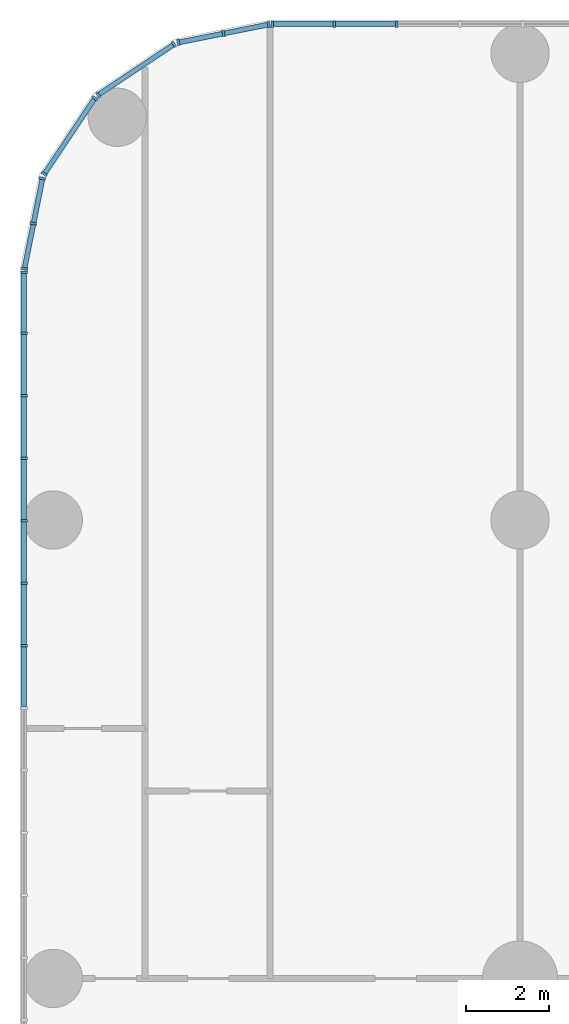
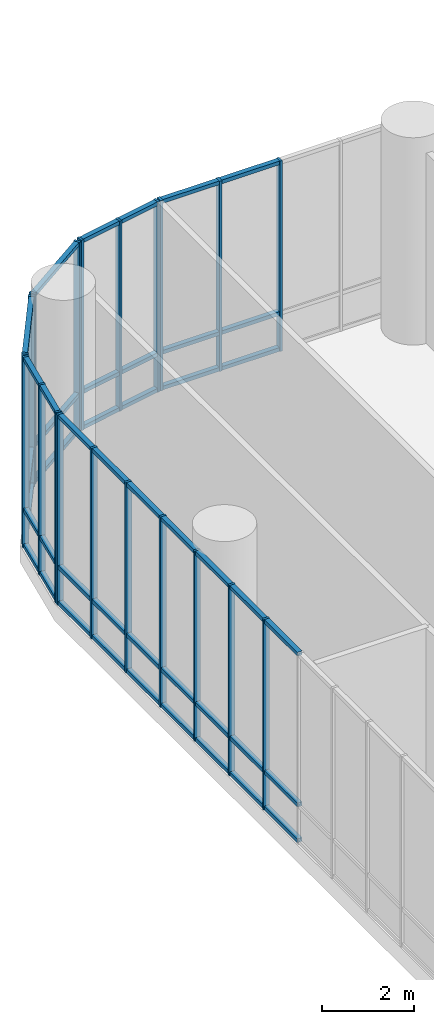
# One storey, part 7 of 28: 65 members, 6 elements without a shape of their own.
"""IFC4 building model written with IfcOpenShell, lengths in metres."""

from ifc_helpers import new_model, si_unit, direction, frame, origin, origin_2d, place, context, subcontext, project, spatial, rectangle, extrude, material, layer, layer_set, material_profile, profile_set, type_object, element, aggregate, save


model = new_model("IFC4")

# Units and contexts
model_context = context("Model", 3, precision=1e-05, world=origin(), true_north=direction((0.0, 1.0)))
body_context = subcontext(model_context, "Body", "Model", "MODEL_VIEW")
ifc_project = project(units=[si_unit("LENGTHUNIT", "METRE"), si_unit("AREAUNIT", "SQUARE_METRE"), si_unit("VOLUMEUNIT", "CUBIC_METRE"), si_unit("PLANEANGLEUNIT", "RADIAN"), si_unit("MASSUNIT", "GRAM", prefix="KILO")], contexts=[model_context])

# Site, building, storey
site_placement = place(None, origin())
site = spatial("IfcSite", under=ifc_project, at=site_placement, CompositionType="ELEMENT")
building_placement = place(site_placement, origin())
building = spatial("IfcBuilding", under=site, at=building_placement, Name="Torana Hotel and Residences", CompositionType="ELEMENT")
storey_placement = place(building_placement, frame((0.0, 0.0, 7.0)))
storey = spatial("IfcBuildingStorey", under=building, at=storey_placement, Name="L01", CompositionType="ELEMENT", Elevation=7.0)

# Curtain wall, members
ifc_material_1 = material(Name="Dark anodised aluminium", Category="aluminium")
ifc_layer = layer(ifc_material_1, 0.14990234375)
ifc_layer_set = layer_set([ifc_layer], Name="CW5 PODIUM UPPER UNITISED CURTAIN WALL")
curtain_wall_type = type_object("IfcCurtainWallType", Name="CW5 PODIUM UPPER UNITISED CURTAIN WALL", PredefinedType="NOTDEFINED", material=ifc_layer_set)
curtain_wall_1_placement = place(storey_placement, origin())
curtain_wall_1 = element("IfcCurtainWall", 1, at=curtain_wall_1_placement, inside=storey, type_object=curtain_wall_type, Name="Curtain wall CW5 L01 e0.2", PredefinedType="NOTDEFINED")
ifc_material_2 = material(Name="Dark anodised aluminium", Category="aluminium")
ifc_material_profile_1 = material_profile(ifc_material_2, rectangle(XDim=0.14990234375, YDim=0.06005859375, at=origin_2d()), Name="CW5 MULLION 60x150")
ifc_profile_set_1 = profile_set([ifc_material_profile_1], Name="Dark anodised aluminium")
member_type_1 = type_object("IfcMemberType", Name="CW5 MULLION 60x150", PredefinedType="MULLION", material=ifc_profile_set_1)
member_1_placement = place(storey_placement, frame((-38.953857421875, 7.89990234375, 0.0), z_axis=(0.0, 0.0, 1.0), x_axis=(0.0, -1.0, 0.0)))
member_1 = element("IfcMember", 2, at=member_1_placement, type_object=member_type_1, Name="CW5 mullion 20", PredefinedType="MULLION", context=body_context, shape_type="SweptSolid", body=[
    extrude(rectangle(XDim=0.14990234375, YDim=0.06005859375, at=origin_2d()), origin(), (0.0, 0.0, 1.0), 5.050048828125),
])
member_2_placement = place(storey_placement, frame((-40.464599609375, 7.89990234375, 0.0), z_axis=(0.0, 0.0, 1.0), x_axis=(0.0, -1.0, 0.0)))
member_2 = element("IfcMember", 3, at=member_2_placement, type_object=member_type_1, Name="CW5 mullion 21", PredefinedType="MULLION", context=body_context, shape_type="SweptSolid", body=[
    extrude(rectangle(XDim=0.14990234375, YDim=0.06005859375, at=origin_2d()), origin(), (0.0, 0.0, 1.0), 5.050048828125),
])
member_3_placement = place(storey_placement, frame((-41.9453125, 7.89990234375, 0.0), z_axis=(0.0, 0.0, 1.0), x_axis=(0.0, -1.0, 0.0)))
member_3 = element("IfcMember", 4, at=member_3_placement, type_object=member_type_1, Name="CW5 mullion 22", PredefinedType="MULLION", context=body_context, shape_type="SweptSolid", body=[
    extrude(rectangle(XDim=0.14990234375, YDim=0.06005859375, at=origin_2d()), origin(), (0.0, 0.0, 1.0), 5.050048828125),
])

curtain_wall_2_placement = place(storey_placement, origin())
curtain_wall_2 = element("IfcCurtainWall", 5, at=curtain_wall_2_placement, inside=storey, type_object=curtain_wall_type, Name="Curtain wall CW5 L01 e0.3", PredefinedType="NOTDEFINED")
member_4_placement = place(storey_placement, frame((-42.033935546875, 7.891357421875, 0.0), z_axis=(0.0, 0.0, 1.0), x_axis=(0.195080996415, -0.980787135335, 0.0)))
member_4 = element("IfcMember", 6, at=member_4_placement, type_object=member_type_1, Name="CW5 mullion 1", PredefinedType="MULLION", context=body_context, shape_type="SweptSolid", body=[
    extrude(rectangle(XDim=0.14990234375, YDim=0.06005859375, at=origin_2d()), origin(), (0.0, 0.0, 1.0), 5.050048828125),
])
member_5_placement = place(storey_placement, frame((-43.1162109375, 7.676025390625, 0.0), z_axis=(0.0, 0.0, 1.0), x_axis=(0.195080996415, -0.980787135335, 0.0)))
member_5 = element("IfcMember", 7, at=member_5_placement, type_object=member_type_1, Name="CW5 mullion 2", PredefinedType="MULLION", context=body_context, shape_type="SweptSolid", body=[
    extrude(rectangle(XDim=0.14990234375, YDim=0.06005859375, at=origin_2d()), origin(), (0.0, 0.0, 1.0), 5.050048828125),
])
member_6_placement = place(storey_placement, frame((-44.198486328125, 7.460693359375, 0.0), z_axis=(0.0, 0.0, 1.0), x_axis=(0.195080996415, -0.980787135335, 0.0)))
member_6 = element("IfcMember", 8, at=member_6_placement, type_object=member_type_1, Name="CW5 mullion 3", PredefinedType="MULLION", context=body_context, shape_type="SweptSolid", body=[
    extrude(rectangle(XDim=0.14990234375, YDim=0.06005859375, at=origin_2d()), origin(), (0.0, 0.0, 1.0), 5.050048828125),
])

curtain_wall_3_placement = place(storey_placement, origin())
curtain_wall_3 = element("IfcCurtainWall", 9, at=curtain_wall_3_placement, inside=storey, type_object=curtain_wall_type, Name="Curtain wall CW5 L01 e0.4", PredefinedType="NOTDEFINED")
member_7_placement = place(storey_placement, frame((-44.306884765625, 7.415771484375, 0.0), z_axis=(0.0, 0.0, 1.0), x_axis=(0.555585238723, -0.831459585616, 0.0)))
member_7 = element("IfcMember", 10, at=member_7_placement, type_object=member_type_1, Name="CW5 mullion 1", PredefinedType="MULLION", context=body_context, shape_type="SweptSolid", body=[
    extrude(rectangle(XDim=0.14990234375, YDim=0.06005859375, at=origin_2d()), origin(), (0.0, 0.0, 1.0), 5.050048828125),
])
member_8_placement = place(storey_placement, frame((-46.120849609375, 6.203857421875, 0.0), z_axis=(0.0, 0.0, 1.0), x_axis=(0.555585238723, -0.831459585616, 0.0)))
member_8 = element("IfcMember", 11, at=member_8_placement, type_object=member_type_1, Name="CW5 mullion 2", PredefinedType="MULLION", context=body_context, shape_type="SweptSolid", body=[
    extrude(rectangle(XDim=0.14990234375, YDim=0.06005859375, at=origin_2d()), origin(), (0.0, 0.0, 1.0), 5.050048828125),
])

curtain_wall_4_placement = place(storey_placement, origin())
curtain_wall_4 = element("IfcCurtainWall", 12, at=curtain_wall_4_placement, inside=storey, type_object=curtain_wall_type, Name="Curtain wall CW5 L01 e0.5", PredefinedType="NOTDEFINED")
member_9_placement = place(storey_placement, frame((-46.203857421875, 6.120849609375, 0.0), z_axis=(0.0, 0.0, 1.0), x_axis=(0.831459585616, -0.555585238723, 0.0)))
member_9 = element("IfcMember", 13, at=member_9_placement, type_object=member_type_1, Name="CW5 mullion 1", PredefinedType="MULLION", context=body_context, shape_type="SweptSolid", body=[
    extrude(rectangle(XDim=0.14990234375, YDim=0.06005859375, at=origin_2d()), origin(), (0.0, 0.0, 1.0), 5.050048828125),
])
member_10_placement = place(storey_placement, frame((-47.415771484375, 4.306884765625, 0.0), z_axis=(0.0, 0.0, 1.0), x_axis=(0.831459585616, -0.555585238723, 0.0)))
member_10 = element("IfcMember", 14, at=member_10_placement, type_object=member_type_1, Name="CW5 mullion 2", PredefinedType="MULLION", context=body_context, shape_type="SweptSolid", body=[
    extrude(rectangle(XDim=0.14990234375, YDim=0.06005859375, at=origin_2d()), origin(), (0.0, 0.0, 1.0), 5.050048828125),
])

curtain_wall_5_placement = place(storey_placement, origin())
curtain_wall_5 = element("IfcCurtainWall", 15, at=curtain_wall_5_placement, inside=storey, type_object=curtain_wall_type, Name="Curtain wall CW5 L01 e0.6", PredefinedType="NOTDEFINED")
member_11_placement = place(storey_placement, frame((-47.460693359375, 4.198486328125, 0.0), z_axis=(0.0, 0.0, 1.0), x_axis=(0.980787135335, -0.195080996415, 0.0)))
member_11 = element("IfcMember", 16, at=member_11_placement, type_object=member_type_1, Name="CW5 mullion 1", PredefinedType="MULLION", context=body_context, shape_type="SweptSolid", body=[
    extrude(rectangle(XDim=0.14990234375, YDim=0.06005859375, at=origin_2d()), origin(), (0.0, 0.0, 1.0), 5.050048828125),
])
member_12_placement = place(storey_placement, frame((-47.676025390625, 3.1162109375, 0.0), z_axis=(0.0, 0.0, 1.0), x_axis=(0.980787135335, -0.195080996415, 0.0)))
member_12 = element("IfcMember", 17, at=member_12_placement, type_object=member_type_1, Name="CW5 mullion 2", PredefinedType="MULLION", context=body_context, shape_type="SweptSolid", body=[
    extrude(rectangle(XDim=0.14990234375, YDim=0.06005859375, at=origin_2d()), origin(), (0.0, 0.0, 1.0), 5.050048828125),
])
member_13_placement = place(storey_placement, frame((-47.891357421875, 2.033935546875, 0.0), z_axis=(0.0, 0.0, 1.0), x_axis=(0.980787135335, -0.195080996415, 0.0)))
member_13 = element("IfcMember", 18, at=member_13_placement, type_object=member_type_1, Name="CW5 mullion 3", PredefinedType="MULLION", context=body_context, shape_type="SweptSolid", body=[
    extrude(rectangle(XDim=0.14990234375, YDim=0.06005859375, at=origin_2d()), origin(), (0.0, 0.0, 1.0), 5.050048828125),
])

curtain_wall_6_placement = place(storey_placement, origin())
curtain_wall_6 = element("IfcCurtainWall", 19, at=curtain_wall_6_placement, inside=storey, type_object=curtain_wall_type, Name="Curtain wall CW5 L01 e0.7", PredefinedType="NOTDEFINED")
member_14_placement = place(storey_placement, frame((-47.89990234375, 1.9453125, 0.0), z_axis=(0.0, 0.0, 1.0), x_axis=(1.0, 0.0, 0.0)))
member_14 = element("IfcMember", 20, at=member_14_placement, type_object=member_type_1, Name="CW5 mullion 1", PredefinedType="MULLION", context=body_context, shape_type="SweptSolid", body=[
    extrude(rectangle(XDim=0.14990234375, YDim=0.06005859375, at=origin_2d()), origin(), (0.0, 0.0, 1.0), 5.050048828125),
])
member_15_placement = place(storey_placement, frame((-47.89990234375, 0.4775390625, 0.0), z_axis=(0.0, 0.0, 1.0), x_axis=(1.0, 0.0, 0.0)))
member_15 = element("IfcMember", 21, at=member_15_placement, type_object=member_type_1, Name="CW5 mullion 2", PredefinedType="MULLION", context=body_context, shape_type="SweptSolid", body=[
    extrude(rectangle(XDim=0.14990234375, YDim=0.06005859375, at=origin_2d()), origin(), (0.0, 0.0, 1.0), 5.050048828125),
])
member_16_placement = place(storey_placement, frame((-47.89990234375, -1.0205078125, 0.0), z_axis=(0.0, 0.0, 1.0), x_axis=(1.0, 0.0, 0.0)))
member_16 = element("IfcMember", 22, at=member_16_placement, type_object=member_type_1, Name="CW5 mullion 3", PredefinedType="MULLION", context=body_context, shape_type="SweptSolid", body=[
    extrude(rectangle(XDim=0.14990234375, YDim=0.06005859375, at=origin_2d()), origin(), (0.0, 0.0, 1.0), 5.050048828125),
])
member_17_placement = place(storey_placement, frame((-47.89990234375, -2.5185546875, 0.0), z_axis=(0.0, 0.0, 1.0), x_axis=(1.0, 0.0, 0.0)))
member_17 = element("IfcMember", 23, at=member_17_placement, type_object=member_type_1, Name="CW5 mullion 4", PredefinedType="MULLION", context=body_context, shape_type="SweptSolid", body=[
    extrude(rectangle(XDim=0.14990234375, YDim=0.06005859375, at=origin_2d()), origin(), (0.0, 0.0, 1.0), 5.050048828125),
])
member_18_placement = place(storey_placement, frame((-47.89990234375, -4.016357421875, 0.0), z_axis=(0.0, 0.0, 1.0), x_axis=(1.0, 0.0, 0.0)))
member_18 = element("IfcMember", 24, at=member_18_placement, type_object=member_type_1, Name="CW5 mullion 5", PredefinedType="MULLION", context=body_context, shape_type="SweptSolid", body=[
    extrude(rectangle(XDim=0.14990234375, YDim=0.06005859375, at=origin_2d()), origin(), (0.0, 0.0, 1.0), 5.050048828125),
])
member_19_placement = place(storey_placement, frame((-47.89990234375, -5.514404296875, 0.0), z_axis=(0.0, 0.0, 1.0), x_axis=(1.0, 0.0, 0.0)))
member_19 = element("IfcMember", 25, at=member_19_placement, type_object=member_type_1, Name="CW5 mullion 6", PredefinedType="MULLION", context=body_context, shape_type="SweptSolid", body=[
    extrude(rectangle(XDim=0.14990234375, YDim=0.06005859375, at=origin_2d()), origin(), (0.0, 0.0, 1.0), 5.050048828125),
])
member_20_placement = place(storey_placement, frame((-47.89990234375, -7.01220703125, 0.0), z_axis=(0.0, 0.0, 1.0), x_axis=(1.0, 0.0, 0.0)))
member_20 = element("IfcMember", 26, at=member_20_placement, type_object=member_type_1, Name="CW5 mullion 7", PredefinedType="MULLION", context=body_context, shape_type="SweptSolid", body=[
    extrude(rectangle(XDim=0.14990234375, YDim=0.06005859375, at=origin_2d()), origin(), (0.0, 0.0, 1.0), 5.050048828125),
])

# Member
ifc_material_3 = material(Name="Dark anodised aluminium", Category="aluminium")
ifc_material_profile_2 = material_profile(ifc_material_3, rectangle(XDim=0.1201171875, YDim=0.10009765625, at=origin_2d()), Name="CW5 TRANSOM 120x100")
ifc_profile_set_2 = profile_set([ifc_material_profile_2], Name="Dark anodised aluminium")
member_type_2 = type_object("IfcMemberType", Name="CW5 TRANSOM 120x100", PredefinedType="USERDEFINED", material=ifc_profile_set_2)
member_21_placement = place(storey_placement, frame((-38.98388671875, 7.89990234375, 0.050048828125), z_axis=(-1.0, 0.0, 0.0), x_axis=(0.0, -1.0, 0.0)))
member_21 = element("IfcMember", 27, at=member_21_placement, type_object=member_type_2, Name="CW5 transom 20.1", ObjectType="TRANSOM", PredefinedType="USERDEFINED", context=body_context, shape_type="SweptSolid", body=[
    extrude(rectangle(XDim=0.1201171875, YDim=0.10009765625, at=origin_2d()), origin(), (0.0, 0.0, 1.0), 1.45068359375),
])

member_22_placement = place(storey_placement, frame((-38.98388671875, 7.89990234375, 1.0), z_axis=(-1.0, 0.0, 0.0), x_axis=(0.0, -1.0, 0.0)))
member_22 = element("IfcMember", 28, at=member_22_placement, type_object=member_type_2, Name="CW5 transom 20.2", ObjectType="TRANSOM", PredefinedType="USERDEFINED", context=body_context, shape_type="SweptSolid", body=[
    extrude(rectangle(XDim=0.1201171875, YDim=0.10009765625, at=origin_2d()), origin(), (0.0, 0.0, 1.0), 1.45068359375),
])

member_23_placement = place(storey_placement, frame((-38.98388671875, 7.89990234375, 5.0), z_axis=(-1.0, 0.0, 0.0), x_axis=(0.0, -1.0, 0.0)))
member_23 = element("IfcMember", 29, at=member_23_placement, type_object=member_type_2, Name="CW5 transom 20.3", ObjectType="TRANSOM", PredefinedType="USERDEFINED", context=body_context, shape_type="SweptSolid", body=[
    extrude(rectangle(XDim=0.1201171875, YDim=0.10009765625, at=origin_2d()), origin(), (0.0, 0.0, 1.0), 1.45068359375),
])

member_24_placement = place(storey_placement, frame((-40.49462890625, 7.89990234375, 0.050048828125), z_axis=(-1.0, 0.0, 0.0), x_axis=(0.0, -1.0, 0.0)))
member_24 = element("IfcMember", 30, at=member_24_placement, type_object=member_type_2, Name="CW5 transom 21.1", ObjectType="TRANSOM", PredefinedType="USERDEFINED", context=body_context, shape_type="SweptSolid", body=[
    extrude(rectangle(XDim=0.1201171875, YDim=0.10009765625, at=origin_2d()), origin(), (0.0, 0.0, 1.0), 1.420654296875),
])

member_25_placement = place(storey_placement, frame((-40.49462890625, 7.89990234375, 1.0), z_axis=(-1.0, 0.0, 0.0), x_axis=(0.0, -1.0, 0.0)))
member_25 = element("IfcMember", 31, at=member_25_placement, type_object=member_type_2, Name="CW5 transom 21.2", ObjectType="TRANSOM", PredefinedType="USERDEFINED", context=body_context, shape_type="SweptSolid", body=[
    extrude(rectangle(XDim=0.1201171875, YDim=0.10009765625, at=origin_2d()), origin(), (0.0, 0.0, 1.0), 1.420654296875),
])

member_26_placement = place(storey_placement, frame((-40.49462890625, 7.89990234375, 5.0), z_axis=(-1.0, 0.0, 0.0), x_axis=(0.0, -1.0, 0.0)))
member_26 = element("IfcMember", 32, at=member_26_placement, type_object=member_type_2, Name="CW5 transom 21.3", ObjectType="TRANSOM", PredefinedType="USERDEFINED", context=body_context, shape_type="SweptSolid", body=[
    extrude(rectangle(XDim=0.1201171875, YDim=0.10009765625, at=origin_2d()), origin(), (0.0, 0.0, 1.0), 1.420654296875),
])

aggregate(curtain_wall_1, [member_1, member_2, member_3, member_21, member_22, member_23, member_24, member_25, member_26])

member_27_placement = place(storey_placement, frame((-42.0634765625, 7.885498046875, 0.050048828125), z_axis=(-0.980769234765, -0.195170971557, 0.0), x_axis=(0.195170971557, -0.980769234765, 0.0)))
member_27 = element("IfcMember", 33, at=member_27_placement, type_object=member_type_2, Name="CW5 transom 1.1", ObjectType="TRANSOM", PredefinedType="USERDEFINED", context=body_context, shape_type="SweptSolid", body=[
    extrude(rectangle(XDim=0.1201171875, YDim=0.10009765625, at=origin_2d()), origin(), (0.0, 0.0, 1.0), 1.043212890625),
])

member_28_placement = place(storey_placement, frame((-42.0634765625, 7.885498046875, 1.0), z_axis=(-0.980769234765, -0.195170971557, 0.0), x_axis=(0.195170971557, -0.980769234765, 0.0)))
member_28 = element("IfcMember", 34, at=member_28_placement, type_object=member_type_2, Name="CW5 transom 1.2", ObjectType="TRANSOM", PredefinedType="USERDEFINED", context=body_context, shape_type="SweptSolid", body=[
    extrude(rectangle(XDim=0.1201171875, YDim=0.10009765625, at=origin_2d()), origin(), (0.0, 0.0, 1.0), 1.043212890625),
])

member_29_placement = place(storey_placement, frame((-42.0634765625, 7.885498046875, 5.0), z_axis=(-0.980769234765, -0.195170971557, 0.0), x_axis=(0.195170971557, -0.980769234765, 0.0)))
member_29 = element("IfcMember", 35, at=member_29_placement, type_object=member_type_2, Name="CW5 transom 1.3", ObjectType="TRANSOM", PredefinedType="USERDEFINED", context=body_context, shape_type="SweptSolid", body=[
    extrude(rectangle(XDim=0.1201171875, YDim=0.10009765625, at=origin_2d()), origin(), (0.0, 0.0, 1.0), 1.043212890625),
])

member_30_placement = place(storey_placement, frame((-43.1455078125, 7.670166015625, 0.050048828125), z_axis=(-0.980778145841, -0.195126186458, 0.0), x_axis=(0.195126186458, -0.980778145841, 0.0)))
member_30 = element("IfcMember", 36, at=member_30_placement, type_object=member_type_2, Name="CW5 transom 2.1", ObjectType="TRANSOM", PredefinedType="USERDEFINED", context=body_context, shape_type="SweptSolid", body=[
    extrude(rectangle(XDim=0.1201171875, YDim=0.10009765625, at=origin_2d()), origin(), (0.0, 0.0, 1.0), 1.04345703125),
])

member_31_placement = place(storey_placement, frame((-43.1455078125, 7.670166015625, 1.0), z_axis=(-0.980778145841, -0.195126186458, 0.0), x_axis=(0.195126186458, -0.980778145841, 0.0)))
member_31 = element("IfcMember", 37, at=member_31_placement, type_object=member_type_2, Name="CW5 transom 2.2", ObjectType="TRANSOM", PredefinedType="USERDEFINED", context=body_context, shape_type="SweptSolid", body=[
    extrude(rectangle(XDim=0.1201171875, YDim=0.10009765625, at=origin_2d()), origin(), (0.0, 0.0, 1.0), 1.04345703125),
])

member_32_placement = place(storey_placement, frame((-43.1455078125, 7.670166015625, 5.0), z_axis=(-0.980778145841, -0.195126186458, 0.0), x_axis=(0.195126186458, -0.980778145841, 0.0)))
member_32 = element("IfcMember", 38, at=member_32_placement, type_object=member_type_2, Name="CW5 transom 2.3", ObjectType="TRANSOM", PredefinedType="USERDEFINED", context=body_context, shape_type="SweptSolid", body=[
    extrude(rectangle(XDim=0.1201171875, YDim=0.10009765625, at=origin_2d()), origin(), (0.0, 0.0, 1.0), 1.04345703125),
])

aggregate(curtain_wall_2, [member_4, member_5, member_6, member_27, member_28, member_29, member_30, member_31, member_32])

member_33_placement = place(storey_placement, frame((-44.331787109375, 7.399169921875, 0.050048828125), z_axis=(-0.831447851219, -0.555602799403, 0.0), x_axis=(0.555602799403, -0.831447851219, 0.0)))
member_33 = element("IfcMember", 39, at=member_33_placement, type_object=member_type_2, Name="CW5 transom 1.1", ObjectType="TRANSOM", PredefinedType="USERDEFINED", context=body_context, shape_type="SweptSolid", body=[
    extrude(rectangle(XDim=0.1201171875, YDim=0.10009765625, at=origin_2d()), origin(), (0.0, 0.0, 1.0), 2.12158203125),
])

member_34_placement = place(storey_placement, frame((-44.331787109375, 7.399169921875, 1.0), z_axis=(-0.831447851219, -0.555602799403, 0.0), x_axis=(0.555602799403, -0.831447851219, 0.0)))
member_34 = element("IfcMember", 40, at=member_34_placement, type_object=member_type_2, Name="CW5 transom 1.2", ObjectType="TRANSOM", PredefinedType="USERDEFINED", context=body_context, shape_type="SweptSolid", body=[
    extrude(rectangle(XDim=0.1201171875, YDim=0.10009765625, at=origin_2d()), origin(), (0.0, 0.0, 1.0), 2.12158203125),
])

member_35_placement = place(storey_placement, frame((-44.331787109375, 7.399169921875, 5.0), z_axis=(-0.831447851219, -0.555602799403, 0.0), x_axis=(0.555602799403, -0.831447851219, 0.0)))
member_35 = element("IfcMember", 41, at=member_35_placement, type_object=member_type_2, Name="CW5 transom 1.3", ObjectType="TRANSOM", PredefinedType="USERDEFINED", context=body_context, shape_type="SweptSolid", body=[
    extrude(rectangle(XDim=0.1201171875, YDim=0.10009765625, at=origin_2d()), origin(), (0.0, 0.0, 1.0), 2.12158203125),
])

aggregate(curtain_wall_3, [member_7, member_8, member_33, member_34, member_35])

member_36_placement = place(storey_placement, frame((-46.220458984375, 6.095703125, 0.050048828125), z_axis=(-0.555602799403, -0.831447851219, 0.0), x_axis=(0.831447851219, -0.555602799403, 0.0)))
member_36 = element("IfcMember", 42, at=member_36_placement, type_object=member_type_2, Name="CW5 transom 1.1", ObjectType="TRANSOM", PredefinedType="USERDEFINED", context=body_context, shape_type="SweptSolid", body=[
    extrude(rectangle(XDim=0.1201171875, YDim=0.10009765625, at=origin_2d()), origin(), (0.0, 0.0, 1.0), 2.12158203125),
])

member_37_placement = place(storey_placement, frame((-46.220458984375, 6.095703125, 1.0), z_axis=(-0.555602799403, -0.831447851219, 0.0), x_axis=(0.831447851219, -0.555602799403, 0.0)))
member_37 = element("IfcMember", 43, at=member_37_placement, type_object=member_type_2, Name="CW5 transom 1.2", ObjectType="TRANSOM", PredefinedType="USERDEFINED", context=body_context, shape_type="SweptSolid", body=[
    extrude(rectangle(XDim=0.1201171875, YDim=0.10009765625, at=origin_2d()), origin(), (0.0, 0.0, 1.0), 2.12158203125),
])

member_38_placement = place(storey_placement, frame((-46.220458984375, 6.095703125, 5.0), z_axis=(-0.555602799403, -0.831447851219, 0.0), x_axis=(0.831447851219, -0.555602799403, 0.0)))
member_38 = element("IfcMember", 44, at=member_38_placement, type_object=member_type_2, Name="CW5 transom 1.3", ObjectType="TRANSOM", PredefinedType="USERDEFINED", context=body_context, shape_type="SweptSolid", body=[
    extrude(rectangle(XDim=0.1201171875, YDim=0.10009765625, at=origin_2d()), origin(), (0.0, 0.0, 1.0), 2.12158203125),
])

aggregate(curtain_wall_4, [member_9, member_10, member_36, member_37, member_38])

member_39_placement = place(storey_placement, frame((-47.466552734375, 4.1689453125, 0.050048828125), z_axis=(-0.195126186458, -0.980778145841, 0.0), x_axis=(0.980778145841, -0.195126186458, 0.0)))
member_39 = element("IfcMember", 45, at=member_39_placement, type_object=member_type_2, Name="CW5 transom 1.1", ObjectType="TRANSOM", PredefinedType="USERDEFINED", context=body_context, shape_type="SweptSolid", body=[
    extrude(rectangle(XDim=0.1201171875, YDim=0.10009765625, at=origin_2d()), origin(), (0.0, 0.0, 1.0), 1.04345703125),
])

member_40_placement = place(storey_placement, frame((-47.466552734375, 4.1689453125, 1.0), z_axis=(-0.195126186458, -0.980778145841, 0.0), x_axis=(0.980778145841, -0.195126186458, 0.0)))
member_40 = element("IfcMember", 46, at=member_40_placement, type_object=member_type_2, Name="CW5 transom 1.2", ObjectType="TRANSOM", PredefinedType="USERDEFINED", context=body_context, shape_type="SweptSolid", body=[
    extrude(rectangle(XDim=0.1201171875, YDim=0.10009765625, at=origin_2d()), origin(), (0.0, 0.0, 1.0), 1.04345703125),
])

member_41_placement = place(storey_placement, frame((-47.466552734375, 4.1689453125, 5.0), z_axis=(-0.195126186458, -0.980778145841, 0.0), x_axis=(0.980778145841, -0.195126186458, 0.0)))
member_41 = element("IfcMember", 47, at=member_41_placement, type_object=member_type_2, Name="CW5 transom 1.3", ObjectType="TRANSOM", PredefinedType="USERDEFINED", context=body_context, shape_type="SweptSolid", body=[
    extrude(rectangle(XDim=0.1201171875, YDim=0.10009765625, at=origin_2d()), origin(), (0.0, 0.0, 1.0), 1.04345703125),
])

member_42_placement = place(storey_placement, frame((-47.681884765625, 3.086669921875, 0.050048828125), z_axis=(-0.195170971557, -0.980769234765, 0.0), x_axis=(0.980769234765, -0.195170971557, 0.0)))
member_42 = element("IfcMember", 48, at=member_42_placement, type_object=member_type_2, Name="CW5 transom 2.1", ObjectType="TRANSOM", PredefinedType="USERDEFINED", context=body_context, shape_type="SweptSolid", body=[
    extrude(rectangle(XDim=0.1201171875, YDim=0.10009765625, at=origin_2d()), origin(), (0.0, 0.0, 1.0), 1.043212890625),
])

member_43_placement = place(storey_placement, frame((-47.681884765625, 3.086669921875, 1.0), z_axis=(-0.195170971557, -0.980769234765, 0.0), x_axis=(0.980769234765, -0.195170971557, 0.0)))
member_43 = element("IfcMember", 49, at=member_43_placement, type_object=member_type_2, Name="CW5 transom 2.2", ObjectType="TRANSOM", PredefinedType="USERDEFINED", context=body_context, shape_type="SweptSolid", body=[
    extrude(rectangle(XDim=0.1201171875, YDim=0.10009765625, at=origin_2d()), origin(), (0.0, 0.0, 1.0), 1.043212890625),
])

member_44_placement = place(storey_placement, frame((-47.681884765625, 3.086669921875, 5.0), z_axis=(-0.195170971557, -0.980769234765, 0.0), x_axis=(0.980769234765, -0.195170971557, 0.0)))
member_44 = element("IfcMember", 50, at=member_44_placement, type_object=member_type_2, Name="CW5 transom 2.3", ObjectType="TRANSOM", PredefinedType="USERDEFINED", context=body_context, shape_type="SweptSolid", body=[
    extrude(rectangle(XDim=0.1201171875, YDim=0.10009765625, at=origin_2d()), origin(), (0.0, 0.0, 1.0), 1.043212890625),
])

aggregate(curtain_wall_5, [member_11, member_12, member_13, member_39, member_40, member_41, member_42, member_43, member_44])

member_45_placement = place(storey_placement, frame((-47.89990234375, 1.915283203125, 0.050048828125), z_axis=(0.0, -1.0, 0.0), x_axis=(1.0, 0.0, 0.0)))
member_45 = element("IfcMember", 51, at=member_45_placement, type_object=member_type_2, Name="CW5 transom 1.1", ObjectType="TRANSOM", PredefinedType="USERDEFINED", context=body_context, shape_type="SweptSolid", body=[
    extrude(rectangle(XDim=0.1201171875, YDim=0.10009765625, at=origin_2d()), origin(), (0.0, 0.0, 1.0), 1.40771484375),
])

member_46_placement = place(storey_placement, frame((-47.89990234375, 1.915283203125, 1.0), z_axis=(0.0, -1.0, 0.0), x_axis=(1.0, 0.0, 0.0)))
member_46 = element("IfcMember", 52, at=member_46_placement, type_object=member_type_2, Name="CW5 transom 1.2", ObjectType="TRANSOM", PredefinedType="USERDEFINED", context=body_context, shape_type="SweptSolid", body=[
    extrude(rectangle(XDim=0.1201171875, YDim=0.10009765625, at=origin_2d()), origin(), (0.0, 0.0, 1.0), 1.40771484375),
])

member_47_placement = place(storey_placement, frame((-47.89990234375, 1.915283203125, 5.0), z_axis=(0.0, -1.0, 0.0), x_axis=(1.0, 0.0, 0.0)))
member_47 = element("IfcMember", 53, at=member_47_placement, type_object=member_type_2, Name="CW5 transom 1.3", ObjectType="TRANSOM", PredefinedType="USERDEFINED", context=body_context, shape_type="SweptSolid", body=[
    extrude(rectangle(XDim=0.1201171875, YDim=0.10009765625, at=origin_2d()), origin(), (0.0, 0.0, 1.0), 1.40771484375),
])

member_48_placement = place(storey_placement, frame((-47.89990234375, 0.447509765625, 0.050048828125), z_axis=(0.0, -1.0, 0.0), x_axis=(1.0, 0.0, 0.0)))
member_48 = element("IfcMember", 54, at=member_48_placement, type_object=member_type_2, Name="CW5 transom 2.1", ObjectType="TRANSOM", PredefinedType="USERDEFINED", context=body_context, shape_type="SweptSolid", body=[
    extrude(rectangle(XDim=0.1201171875, YDim=0.10009765625, at=origin_2d()), origin(), (0.0, 0.0, 1.0), 1.43798828125),
])

member_49_placement = place(storey_placement, frame((-47.89990234375, 0.447509765625, 1.0), z_axis=(0.0, -1.0, 0.0), x_axis=(1.0, 0.0, 0.0)))
member_49 = element("IfcMember", 55, at=member_49_placement, type_object=member_type_2, Name="CW5 transom 2.2", ObjectType="TRANSOM", PredefinedType="USERDEFINED", context=body_context, shape_type="SweptSolid", body=[
    extrude(rectangle(XDim=0.1201171875, YDim=0.10009765625, at=origin_2d()), origin(), (0.0, 0.0, 1.0), 1.43798828125),
])

member_50_placement = place(storey_placement, frame((-47.89990234375, 0.447509765625, 5.0), z_axis=(0.0, -1.0, 0.0), x_axis=(1.0, 0.0, 0.0)))
member_50 = element("IfcMember", 56, at=member_50_placement, type_object=member_type_2, Name="CW5 transom 2.3", ObjectType="TRANSOM", PredefinedType="USERDEFINED", context=body_context, shape_type="SweptSolid", body=[
    extrude(rectangle(XDim=0.1201171875, YDim=0.10009765625, at=origin_2d()), origin(), (0.0, 0.0, 1.0), 1.43798828125),
])

member_51_placement = place(storey_placement, frame((-47.89990234375, -1.050537109375, 0.050048828125), z_axis=(0.0, -1.0, 0.0), x_axis=(1.0, 0.0, 0.0)))
member_51 = element("IfcMember", 57, at=member_51_placement, type_object=member_type_2, Name="CW5 transom 3.1", ObjectType="TRANSOM", PredefinedType="USERDEFINED", context=body_context, shape_type="SweptSolid", body=[
    extrude(rectangle(XDim=0.1201171875, YDim=0.10009765625, at=origin_2d()), origin(), (0.0, 0.0, 1.0), 1.43798828125),
])

member_52_placement = place(storey_placement, frame((-47.89990234375, -1.050537109375, 1.0), z_axis=(0.0, -1.0, 0.0), x_axis=(1.0, 0.0, 0.0)))
member_52 = element("IfcMember", 58, at=member_52_placement, type_object=member_type_2, Name="CW5 transom 3.2", ObjectType="TRANSOM", PredefinedType="USERDEFINED", context=body_context, shape_type="SweptSolid", body=[
    extrude(rectangle(XDim=0.1201171875, YDim=0.10009765625, at=origin_2d()), origin(), (0.0, 0.0, 1.0), 1.43798828125),
])

member_53_placement = place(storey_placement, frame((-47.89990234375, -1.050537109375, 5.0), z_axis=(0.0, -1.0, 0.0), x_axis=(1.0, 0.0, 0.0)))
member_53 = element("IfcMember", 59, at=member_53_placement, type_object=member_type_2, Name="CW5 transom 3.3", ObjectType="TRANSOM", PredefinedType="USERDEFINED", context=body_context, shape_type="SweptSolid", body=[
    extrude(rectangle(XDim=0.1201171875, YDim=0.10009765625, at=origin_2d()), origin(), (0.0, 0.0, 1.0), 1.43798828125),
])

member_54_placement = place(storey_placement, frame((-47.89990234375, -2.54833984375, 0.050048828125), z_axis=(0.0, -1.0, 0.0), x_axis=(1.0, 0.0, 0.0)))
member_54 = element("IfcMember", 60, at=member_54_placement, type_object=member_type_2, Name="CW5 transom 4.1", ObjectType="TRANSOM", PredefinedType="USERDEFINED", context=body_context, shape_type="SweptSolid", body=[
    extrude(rectangle(XDim=0.1201171875, YDim=0.10009765625, at=origin_2d()), origin(), (0.0, 0.0, 1.0), 1.43798828125),
])

member_55_placement = place(storey_placement, frame((-47.89990234375, -2.54833984375, 1.0), z_axis=(0.0, -1.0, 0.0), x_axis=(1.0, 0.0, 0.0)))
member_55 = element("IfcMember", 61, at=member_55_placement, type_object=member_type_2, Name="CW5 transom 4.2", ObjectType="TRANSOM", PredefinedType="USERDEFINED", context=body_context, shape_type="SweptSolid", body=[
    extrude(rectangle(XDim=0.1201171875, YDim=0.10009765625, at=origin_2d()), origin(), (0.0, 0.0, 1.0), 1.43798828125),
])

member_56_placement = place(storey_placement, frame((-47.89990234375, -2.54833984375, 5.0), z_axis=(0.0, -1.0, 0.0), x_axis=(1.0, 0.0, 0.0)))
member_56 = element("IfcMember", 62, at=member_56_placement, type_object=member_type_2, Name="CW5 transom 4.3", ObjectType="TRANSOM", PredefinedType="USERDEFINED", context=body_context, shape_type="SweptSolid", body=[
    extrude(rectangle(XDim=0.1201171875, YDim=0.10009765625, at=origin_2d()), origin(), (0.0, 0.0, 1.0), 1.43798828125),
])

member_57_placement = place(storey_placement, frame((-47.89990234375, -4.04638671875, 0.050048828125), z_axis=(0.0, -1.0, 0.0), x_axis=(1.0, 0.0, 0.0)))
member_57 = element("IfcMember", 63, at=member_57_placement, type_object=member_type_2, Name="CW5 transom 5.1", ObjectType="TRANSOM", PredefinedType="USERDEFINED", context=body_context, shape_type="SweptSolid", body=[
    extrude(rectangle(XDim=0.1201171875, YDim=0.10009765625, at=origin_2d()), origin(), (0.0, 0.0, 1.0), 1.43798828125),
])

member_58_placement = place(storey_placement, frame((-47.89990234375, -4.04638671875, 1.0), z_axis=(0.0, -1.0, 0.0), x_axis=(1.0, 0.0, 0.0)))
member_58 = element("IfcMember", 64, at=member_58_placement, type_object=member_type_2, Name="CW5 transom 5.2", ObjectType="TRANSOM", PredefinedType="USERDEFINED", context=body_context, shape_type="SweptSolid", body=[
    extrude(rectangle(XDim=0.1201171875, YDim=0.10009765625, at=origin_2d()), origin(), (0.0, 0.0, 1.0), 1.43798828125),
])

member_59_placement = place(storey_placement, frame((-47.89990234375, -4.04638671875, 5.0), z_axis=(0.0, -1.0, 0.0), x_axis=(1.0, 0.0, 0.0)))
member_59 = element("IfcMember", 65, at=member_59_placement, type_object=member_type_2, Name="CW5 transom 5.3", ObjectType="TRANSOM", PredefinedType="USERDEFINED", context=body_context, shape_type="SweptSolid", body=[
    extrude(rectangle(XDim=0.1201171875, YDim=0.10009765625, at=origin_2d()), origin(), (0.0, 0.0, 1.0), 1.43798828125),
])

member_60_placement = place(storey_placement, frame((-47.89990234375, -5.54443359375, 0.050048828125), z_axis=(0.0, -1.0, 0.0), x_axis=(1.0, 0.0, 0.0)))
member_60 = element("IfcMember", 66, at=member_60_placement, type_object=member_type_2, Name="CW5 transom 6.1", ObjectType="TRANSOM", PredefinedType="USERDEFINED", context=body_context, shape_type="SweptSolid", body=[
    extrude(rectangle(XDim=0.1201171875, YDim=0.10009765625, at=origin_2d()), origin(), (0.0, 0.0, 1.0), 1.43798828125),
])

member_61_placement = place(storey_placement, frame((-47.89990234375, -5.54443359375, 1.0), z_axis=(0.0, -1.0, 0.0), x_axis=(1.0, 0.0, 0.0)))
member_61 = element("IfcMember", 67, at=member_61_placement, type_object=member_type_2, Name="CW5 transom 6.2", ObjectType="TRANSOM", PredefinedType="USERDEFINED", context=body_context, shape_type="SweptSolid", body=[
    extrude(rectangle(XDim=0.1201171875, YDim=0.10009765625, at=origin_2d()), origin(), (0.0, 0.0, 1.0), 1.43798828125),
])

member_62_placement = place(storey_placement, frame((-47.89990234375, -5.54443359375, 5.0), z_axis=(0.0, -1.0, 0.0), x_axis=(1.0, 0.0, 0.0)))
member_62 = element("IfcMember", 68, at=member_62_placement, type_object=member_type_2, Name="CW5 transom 6.3", ObjectType="TRANSOM", PredefinedType="USERDEFINED", context=body_context, shape_type="SweptSolid", body=[
    extrude(rectangle(XDim=0.1201171875, YDim=0.10009765625, at=origin_2d()), origin(), (0.0, 0.0, 1.0), 1.43798828125),
])

member_63_placement = place(storey_placement, frame((-47.89990234375, -7.042236328125, 0.050048828125), z_axis=(0.0, -1.0, 0.0), x_axis=(1.0, 0.0, 0.0)))
member_63 = element("IfcMember", 69, at=member_63_placement, type_object=member_type_2, Name="CW5 transom 7.1", ObjectType="TRANSOM", PredefinedType="USERDEFINED", context=body_context, shape_type="SweptSolid", body=[
    extrude(rectangle(XDim=0.1201171875, YDim=0.10009765625, at=origin_2d()), origin(), (0.0, 0.0, 1.0), 1.43798828125),
])

member_64_placement = place(storey_placement, frame((-47.89990234375, -7.042236328125, 1.0), z_axis=(0.0, -1.0, 0.0), x_axis=(1.0, 0.0, 0.0)))
member_64 = element("IfcMember", 70, at=member_64_placement, type_object=member_type_2, Name="CW5 transom 7.2", ObjectType="TRANSOM", PredefinedType="USERDEFINED", context=body_context, shape_type="SweptSolid", body=[
    extrude(rectangle(XDim=0.1201171875, YDim=0.10009765625, at=origin_2d()), origin(), (0.0, 0.0, 1.0), 1.43798828125),
])

member_65_placement = place(storey_placement, frame((-47.89990234375, -7.042236328125, 5.0), z_axis=(0.0, -1.0, 0.0), x_axis=(1.0, 0.0, 0.0)))
member_65 = element("IfcMember", 71, at=member_65_placement, type_object=member_type_2, Name="CW5 transom 7.3", ObjectType="TRANSOM", PredefinedType="USERDEFINED", context=body_context, shape_type="SweptSolid", body=[
    extrude(rectangle(XDim=0.1201171875, YDim=0.10009765625, at=origin_2d()), origin(), (0.0, 0.0, 1.0), 1.43798828125),
])

aggregate(curtain_wall_6, [member_14, member_15, member_16, member_17, member_18, member_19, member_20, member_45, member_46, member_47, member_48, member_49, member_50, member_51, member_52, member_53, member_54, member_55, member_56, member_57, member_58, member_59, member_60, member_61, member_62, member_63, member_64, member_65])

save(model, "model.ifc")
